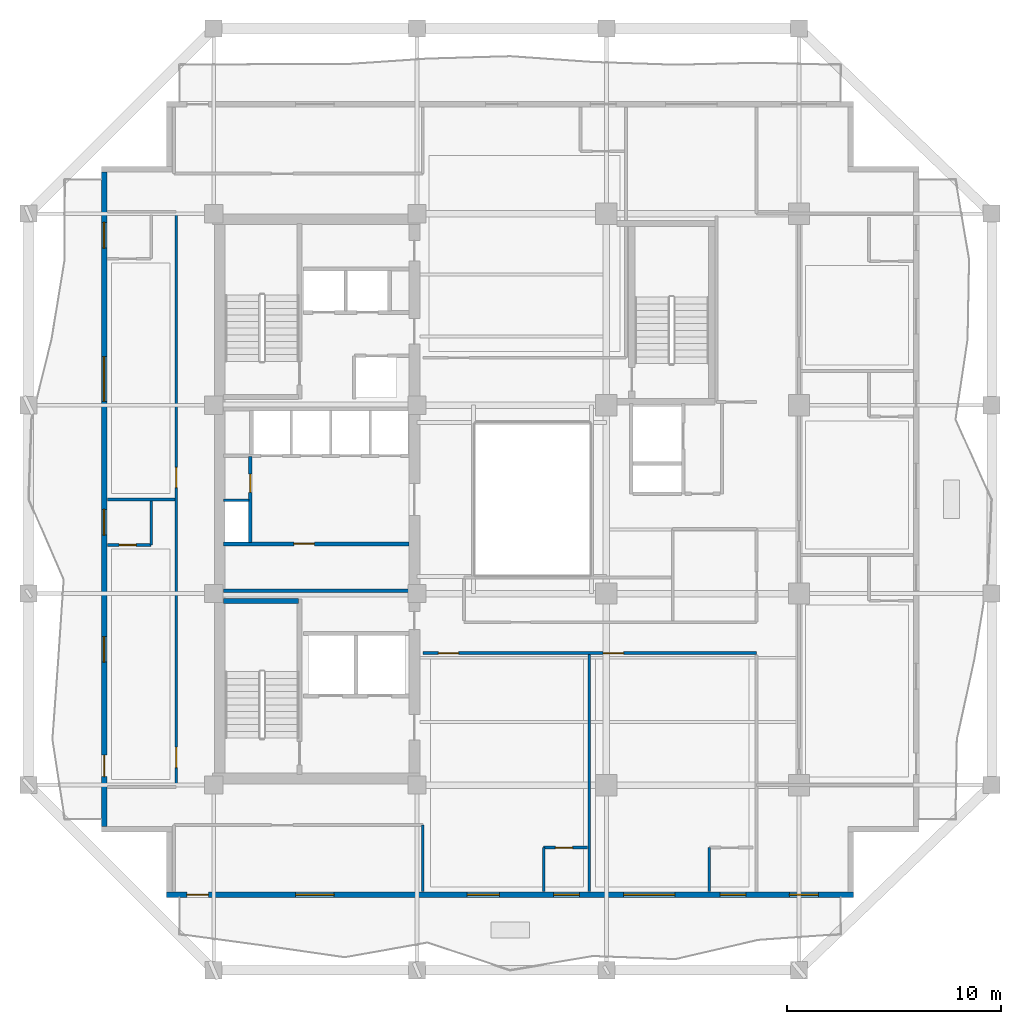
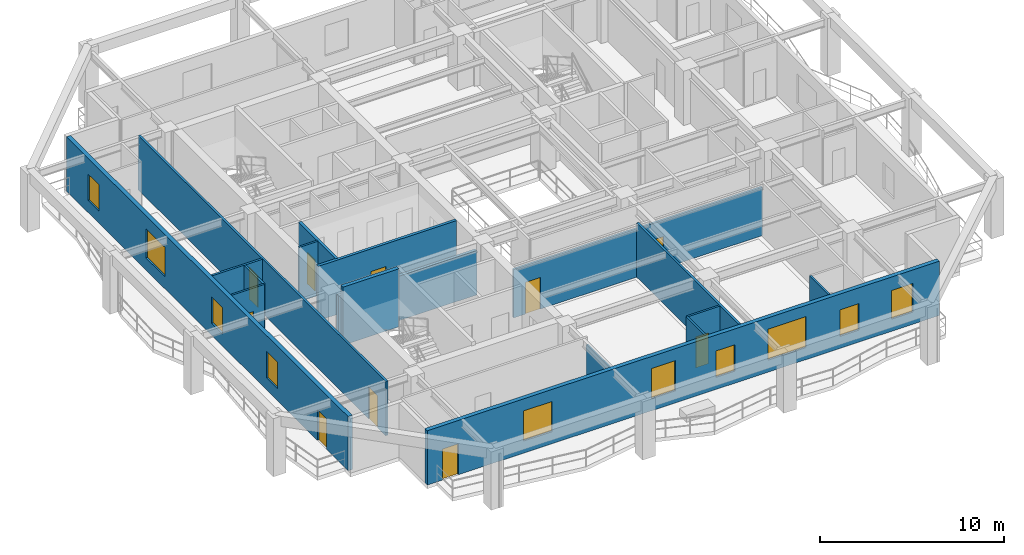
# One storey, part 3 of 10: 17 walls, 10 doors, 10 windows, 20 openings.
"""IFC4 building model written with IfcOpenShell, lengths in metres."""

from ifc_helpers import new_model, si_unit, direction, frame, frame_2d, origin, place, context, subcontext, project, spatial, rectangle, extrude, material, layer, layer_set, type_object, element, fill, save


model = new_model("IFC4")

# Units and contexts
model_context = context("Model", 3, precision=1e-05, world=origin(), true_north=direction((0.0, 1.0)))
body_context = subcontext(model_context, "Body", "Model", "MODEL_VIEW")
ifc_project = project(units=[si_unit("LENGTHUNIT", "METRE"), si_unit("AREAUNIT", "SQUARE_METRE"), si_unit("VOLUMEUNIT", "CUBIC_METRE"), si_unit("PLANEANGLEUNIT", "RADIAN"), si_unit("MASSUNIT", "GRAM", prefix="KILO")], contexts=[model_context])

# Site, building, storey
site_placement = place(None, origin())
site = spatial("IfcSite", under=ifc_project, at=site_placement, CompositionType="ELEMENT")
building_placement = place(site_placement, origin())
building = spatial("IfcBuilding", under=site, at=building_placement, Name="Kundavana Baori Tower", CompositionType="ELEMENT")
storey_placement = place(building_placement, frame((0.0, 0.0, 115.550048828125)))
storey = spatial("IfcBuildingStorey", under=building, at=storey_placement, Name="L27", CompositionType="ELEMENT", Elevation=115.550048828125)

# Wall
ifc_material_1 = material(Name="Concrete C50/60", Category="concrete")
ifc_layer_1 = layer(ifc_material_1, 0.39990234375, Name="WL-CORE-400")
ifc_layer_set_1 = layer_set([ifc_layer_1], Name="Concrete C50/60")
wall_type_1 = type_object("IfcWallType", Name="WL-CORE-400", PredefinedType="SHEAR", material=ifc_layer_set_1)
wall_1_placement = place(storey_placement, frame((15.89990234375, 23.860107421875, 0.0), z_axis=(0.0, 0.0, 1.0), x_axis=(1.0, 0.0, 0.0)))
element("IfcWall", 1, at=wall_1_placement, inside=storey, type_object=wall_type_1, Name="WL-L27-ST1-N", PredefinedType="SHEAR", context=body_context, shape_type="SweptSolid", body=[
    extrude(rectangle(XDim=3.52001953125, YDim=0.239990234375, at=frame_2d((1.760009765625, 0.0))), origin(), (0.0, 0.0, 1.0), 3.849853515625),
])

# Wall, openings, door, windows
ifc_material_2 = material(Name="Kiln-Fired Terracotta Brick-Slip Masonry on Concrete C40/50", Category="masonry")
ifc_layer_2 = layer(ifc_material_2, 0.260009765625, Name="WL-EXT-BRK-260")
ifc_layer_set_2 = layer_set([ifc_layer_2], Name="Kiln-Fired Terracotta Brick-Slip Masonry on Concrete C40/50")
wall_type_2 = type_object("IfcWallType", Name="WL-EXT-BRK-260", PredefinedType="SOLIDWALL", material=ifc_layer_set_2)
wall_2_placement = place(storey_placement, frame((13.25, 10.1298828125, 0.0), z_axis=(0.0, 0.0, 1.0), x_axis=(1.0, 0.0, 0.0)))
wall_2 = element("IfcWall", 2, at=wall_2_placement, inside=storey, type_object=wall_type_2, Name="L27 Exterior Insulated Facade Wall 01", PredefinedType="SOLIDWALL", context=body_context, shape_type="SweptSolid", body=[
    extrude(rectangle(XDim=32.10009765625, YDim=0.260009765625, at=frame_2d((16.050048828125, 0.0))), origin(), (0.0, 0.0, 1.0), 3.599853515625),
])
opening_1_placement = place(wall_2_placement, frame((0.949951171875, 0.0, 0.0)))
opening_1 = element("IfcOpeningElement", 3, at=opening_1_placement, cuts=wall_2, Name="Opening BD-1", PredefinedType="OPENING", context=body_context, shape_type="SweptSolid", body=[
    extrude(rectangle(XDim=1.0, YDim=2.050048828125, at=frame_2d((0.5, 1.02490234375))), frame((0.0, 0.14013671875, 0.0), z_axis=(0.0, -1.0, 0.0), x_axis=(1.0, 0.0, 0.0)), (0.0, 0.0, 1.0), 0.280029296875),
])
opening_2_placement = place(wall_2_placement, frame((6.030029296875, 0.0, 0.800048828125)))
opening_2 = element("IfcOpeningElement", 4, at=opening_2_placement, cuts=wall_2, Name="Opening W-01", PredefinedType="OPENING", context=body_context, shape_type="SweptSolid", body=[
    extrude(rectangle(XDim=1.800048828125, YDim=2.0, at=frame_2d((0.89990234375, 1.0))), frame((0.0, 0.14013671875, 0.0), z_axis=(0.0, -1.0, 0.0), x_axis=(1.0, 0.0, 0.0)), (0.0, 0.0, 1.0), 0.280029296875),
])
opening_3_placement = place(wall_2_placement, frame((14.044921875, 0.0, 0.800048828125)))
opening_3 = element("IfcOpeningElement", 5, at=opening_3_placement, cuts=wall_2, Name="Opening W-02", PredefinedType="OPENING", context=body_context, shape_type="SweptSolid", body=[
    extrude(rectangle(XDim=1.5, YDim=2.0, at=frame_2d((0.75, 1.0))), frame((0.0, 0.14013671875, 0.0), z_axis=(0.0, -1.0, 0.0), x_axis=(1.0, 0.0, 0.0)), (0.0, 0.0, 1.0), 0.280029296875),
])
opening_4_placement = place(wall_2_placement, frame((18.0849609375, 0.0, 0.800048828125)))
opening_4 = element("IfcOpeningElement", 6, at=opening_4_placement, cuts=wall_2, Name="Opening W-03", PredefinedType="OPENING", context=body_context, shape_type="SweptSolid", body=[
    extrude(rectangle(XDim=1.199951171875, YDim=1.75, at=frame_2d((0.60009765625, 0.875))), frame((0.0, 0.14013671875, 0.0), z_axis=(0.0, -1.0, 0.0), x_axis=(1.0, 0.0, 0.0)), (0.0, 0.0, 1.0), 0.280029296875),
])
opening_5_placement = place(wall_2_placement, frame((21.35498046875, 0.0, 0.800048828125)))
opening_5 = element("IfcOpeningElement", 7, at=opening_5_placement, cuts=wall_2, Name="Opening W-04", PredefinedType="OPENING", context=body_context, shape_type="SweptSolid", body=[
    extrude(rectangle(XDim=2.39990234375, YDim=2.050048828125, at=frame_2d((1.199951171875, 1.02490234375))), frame((0.0, 0.14013671875, 0.0), z_axis=(0.0, -1.0, 0.0), x_axis=(1.0, 0.0, 0.0)), (0.0, 0.0, 1.0), 0.280029296875),
])
opening_6_placement = place(wall_2_placement, frame((25.864990234375, 0.0, 0.800048828125)))
opening_6 = element("IfcOpeningElement", 8, at=opening_6_placement, cuts=wall_2, Name="Opening W-03", PredefinedType="OPENING", context=body_context, shape_type="SweptSolid", body=[
    extrude(rectangle(XDim=1.199951171875, YDim=1.75, at=frame_2d((0.60009765625, 0.875))), frame((0.0, 0.14013671875, 0.0), z_axis=(0.0, -1.0, 0.0), x_axis=(1.0, 0.0, 0.0)), (0.0, 0.0, 1.0), 0.280029296875),
])
opening_7_placement = place(wall_2_placement, frame((29.10498046875, 0.0, 0.800048828125)))
opening_7 = element("IfcOpeningElement", 9, at=opening_7_placement, cuts=wall_2, Name="Opening W-07", PredefinedType="OPENING", context=body_context, shape_type="SweptSolid", body=[
    extrude(rectangle(XDim=1.35009765625, YDim=1.89990234375, at=frame_2d((0.675048828125, 0.949951171875))), frame((0.0, 0.14013671875, 0.0), z_axis=(0.0, -1.0, 0.0), x_axis=(1.0, 0.0, 0.0)), (0.0, 0.0, 1.0), 0.280029296875),
])
ifc_material_3 = material(Name="Architectural Patinated Bronze Metalwork")
door_type_1 = type_object("IfcDoorType", Name="DR-EXT-LOG-1000", OperationType="NOTDEFINED", PredefinedType="DOOR", material=ifc_material_3)
door_1_placement = place(opening_1_placement, frame((1.0, 0.0, 0.0), z_axis=(0.0, 0.0, 1.0), x_axis=(-1.0, 0.0, 0.0)))
door_1 = element("IfcDoor", 10, at=door_1_placement, inside=storey, type_object=door_type_1, Name="L27 Loggia Balcony Access Door S", OperationType="SINGLE_SWING_LEFT", OverallHeight=2.050048828125, OverallWidth=1.0, PredefinedType="DOOR", context=body_context, shape_type="SweptSolid", body=[
    extrude(rectangle(XDim=1.0, YDim=2.050048828125, at=frame_2d((0.5, 1.02490234375))), frame((0.0, 0.02490234375, 0.0), z_axis=(0.0, -1.0, 0.0), x_axis=(1.0, 0.0, 0.0)), (0.0, 0.0, 1.0), 0.050048828125),
])
fill(opening_1, door_1)
ifc_material_4 = material(Name="Double-Glazed Solar-Control Low-E Insulated Glass", Category="glass")
window_type_1 = type_object("IfcWindowType", Name="WIN-LOG-1200x1750", PartitioningType="SINGLE_PANEL", PredefinedType="WINDOW", material=ifc_material_4)
window_1_placement = place(opening_4_placement, origin())
window_1 = element("IfcWindow", 11, at=window_1_placement, inside=storey, type_object=window_type_1, Name="L27 Recessed Loggia Window S-3", OverallHeight=1.75, OverallWidth=1.199951171875, PartitioningType="SINGLE_PANEL", PredefinedType="WINDOW", context=body_context, shape_type="SweptSolid", body=[
    extrude(rectangle(XDim=1.199951171875, YDim=1.75, at=frame_2d((0.60009765625, 0.875))), frame((0.0, 0.030029296875, 0.0), z_axis=(0.0, -1.0, 0.0), x_axis=(1.0, 0.0, 0.0)), (0.0, 0.0, 1.0), 0.06005859375),
])
fill(opening_4, window_1)
window_2_placement = place(opening_6_placement, origin())
window_2 = element("IfcWindow", 12, at=window_2_placement, inside=storey, type_object=window_type_1, Name="L27 Recessed Loggia Window S-5", OverallHeight=1.75, OverallWidth=1.199951171875, PartitioningType="SINGLE_PANEL", PredefinedType="WINDOW", context=body_context, shape_type="SweptSolid", body=[
    extrude(rectangle(XDim=1.199951171875, YDim=1.75, at=frame_2d((0.60009765625, 0.875))), frame((0.0, 0.030029296875, 0.0), z_axis=(0.0, -1.0, 0.0), x_axis=(1.0, 0.0, 0.0)), (0.0, 0.0, 1.0), 0.06005859375),
])
fill(opening_6, window_2)
ifc_material_5 = material(Name="Double-Glazed Solar-Control Low-E Insulated Glass", Category="glass")
window_type_2 = type_object("IfcWindowType", Name="WIN-LOG-1350x1900", PartitioningType="SINGLE_PANEL", PredefinedType="WINDOW", material=ifc_material_5)
window_3_placement = place(opening_7_placement, origin())
window_3 = element("IfcWindow", 13, at=window_3_placement, inside=storey, type_object=window_type_2, Name="L27 Recessed Loggia Window S-6", OverallHeight=1.89990234375, OverallWidth=1.35009765625, PartitioningType="SINGLE_PANEL", PredefinedType="WINDOW", context=body_context, shape_type="SweptSolid", body=[
    extrude(rectangle(XDim=1.35009765625, YDim=1.89990234375, at=frame_2d((0.675048828125, 0.949951171875))), frame((0.0, 0.030029296875, 0.0), z_axis=(0.0, -1.0, 0.0), x_axis=(1.0, 0.0, 0.0)), (0.0, 0.0, 1.0), 0.06005859375),
])
fill(opening_7, window_3)
ifc_material_6 = material(Name="Double-Glazed Solar-Control Low-E Insulated Glass", Category="glass")
window_type_3 = type_object("IfcWindowType", Name="WIN-LOG-1500x2000", PartitioningType="SINGLE_PANEL", PredefinedType="WINDOW", material=ifc_material_6)
window_4_placement = place(opening_3_placement, origin())
window_4 = element("IfcWindow", 14, at=window_4_placement, inside=storey, type_object=window_type_3, Name="L27 Recessed Loggia Window S-2", OverallHeight=2.0, OverallWidth=1.5, PartitioningType="SINGLE_PANEL", PredefinedType="WINDOW", context=body_context, shape_type="SweptSolid", body=[
    extrude(rectangle(XDim=1.5, YDim=2.0, at=frame_2d((0.75, 1.0))), frame((0.0, 0.030029296875, 0.0), z_axis=(0.0, -1.0, 0.0), x_axis=(1.0, 0.0, 0.0)), (0.0, 0.0, 1.0), 0.06005859375),
])
fill(opening_3, window_4)
ifc_material_7 = material(Name="Double-Glazed Solar-Control Low-E Insulated Glass", Category="glass")
window_type_4 = type_object("IfcWindowType", Name="WIN-LOG-1800x2000", PartitioningType="SINGLE_PANEL", PredefinedType="WINDOW", material=ifc_material_7)
window_5_placement = place(opening_2_placement, origin())
window_5 = element("IfcWindow", 15, at=window_5_placement, inside=storey, type_object=window_type_4, Name="L27 Recessed Loggia Window S-1", OverallHeight=2.0, OverallWidth=1.800048828125, PartitioningType="SINGLE_PANEL", PredefinedType="WINDOW", context=body_context, shape_type="SweptSolid", body=[
    extrude(rectangle(XDim=1.800048828125, YDim=2.0, at=frame_2d((0.89990234375, 1.0))), frame((0.0, 0.030029296875, 0.0), z_axis=(0.0, -1.0, 0.0), x_axis=(1.0, 0.0, 0.0)), (0.0, 0.0, 1.0), 0.06005859375),
])
fill(opening_2, window_5)
ifc_material_8 = material(Name="Double-Glazed Solar-Control Low-E Insulated Glass", Category="glass")
window_type_5 = type_object("IfcWindowType", Name="WIN-LOG-2400x2050", PartitioningType="SINGLE_PANEL", PredefinedType="WINDOW", material=ifc_material_8)
window_6_placement = place(opening_5_placement, origin())
window_6 = element("IfcWindow", 16, at=window_6_placement, inside=storey, type_object=window_type_5, Name="L27 Recessed Loggia Window S-4", OverallHeight=2.050048828125, OverallWidth=2.39990234375, PartitioningType="SINGLE_PANEL", PredefinedType="WINDOW", context=body_context, shape_type="SweptSolid", body=[
    extrude(rectangle(XDim=2.39990234375, YDim=2.050048828125, at=frame_2d((1.199951171875, 1.02490234375))), frame((0.0, 0.030029296875, 0.0), z_axis=(0.0, -1.0, 0.0), x_axis=(1.0, 0.0, 0.0)), (0.0, 0.0, 1.0), 0.06005859375),
])
fill(opening_5, window_6)

wall_3_placement = place(storey_placement, frame((10.330078125, 43.889892578125, 0.0), z_axis=(0.0, 0.0, 1.0), x_axis=(0.0, -1.0, 0.0)))
wall_3 = element("IfcWall", 17, at=wall_3_placement, inside=storey, type_object=wall_type_2, Name="L27 Exterior Insulated Facade Wall 10", PredefinedType="SOLIDWALL", context=body_context, shape_type="SweptSolid", body=[
    extrude(rectangle(XDim=30.579833984375, YDim=0.260009765625, at=frame_2d((15.2900390625, 0.0))), origin(), (0.0, 0.0, 1.0), 3.599853515625),
])
opening_8_placement = place(wall_3_placement, frame((27.239990234375, 0.0, 0.0)))
opening_8 = element("IfcOpeningElement", 18, at=opening_8_placement, cuts=wall_3, Name="Opening BD-1", PredefinedType="OPENING", context=body_context, shape_type="SweptSolid", body=[
    extrude(rectangle(XDim=1.0, YDim=2.050048828125, at=frame_2d((0.5, 1.02490234375))), frame((0.0, 0.14013671875, 0.0), z_axis=(0.0, -1.0, 0.0), x_axis=(1.0, 0.0, 0.0)), (0.0, 0.0, 1.0), 0.280029296875),
])
opening_9_placement = place(wall_3_placement, frame((21.699951171875, 0.0, 0.800048828125)))
opening_9 = element("IfcOpeningElement", 19, at=opening_9_placement, cuts=wall_3, Name="Opening W-03", PredefinedType="OPENING", context=body_context, shape_type="SweptSolid", body=[
    extrude(rectangle(XDim=1.199951171875, YDim=1.75, at=frame_2d((0.60009765625, 0.875))), frame((0.0, 0.14013671875, 0.0), z_axis=(0.0, -1.0, 0.0), x_axis=(1.0, 0.0, 0.0)), (0.0, 0.0, 1.0), 0.280029296875),
])
opening_10_placement = place(wall_3_placement, frame((15.7548828125, 0.0, 0.800048828125)))
opening_10 = element("IfcOpeningElement", 20, at=opening_10_placement, cuts=wall_3, Name="Opening W-03", PredefinedType="OPENING", context=body_context, shape_type="SweptSolid", body=[
    extrude(rectangle(XDim=1.199951171875, YDim=1.75, at=frame_2d((0.60009765625, 0.875))), frame((0.0, 0.14013671875, 0.0), z_axis=(0.0, -1.0, 0.0), x_axis=(1.0, 0.0, 0.0)), (0.0, 0.0, 1.0), 0.280029296875),
])
opening_11_placement = place(wall_3_placement, frame((8.614990234375, 0.0, 0.800048828125)))
opening_11 = element("IfcOpeningElement", 21, at=opening_11_placement, cuts=wall_3, Name="Opening W-05", PredefinedType="OPENING", context=body_context, shape_type="SweptSolid", body=[
    extrude(rectangle(XDim=2.10009765625, YDim=1.949951171875, at=frame_2d((1.050048828125, 0.97509765625))), frame((0.0, 0.14013671875, 0.0), z_axis=(0.0, -1.0, 0.0), x_axis=(1.0, 0.0, 0.0)), (0.0, 0.0, 1.0), 0.280029296875),
])
opening_12_placement = place(wall_3_placement, frame((2.344970703125, 0.0, 0.800048828125)))
opening_12 = element("IfcOpeningElement", 22, at=opening_12_placement, cuts=wall_3, Name="Opening W-03", PredefinedType="OPENING", context=body_context, shape_type="SweptSolid", body=[
    extrude(rectangle(XDim=1.199951171875, YDim=1.75, at=frame_2d((0.60009765625, 0.875))), frame((0.0, 0.14013671875, 0.0), z_axis=(0.0, -1.0, 0.0), x_axis=(1.0, 0.0, 0.0)), (0.0, 0.0, 1.0), 0.280029296875),
])
door_2_placement = place(opening_8_placement, frame((1.0, 0.0, 0.0), z_axis=(0.0, 0.0, 1.0), x_axis=(-1.0, 0.0, 0.0)))
door_2 = element("IfcDoor", 23, at=door_2_placement, inside=storey, type_object=door_type_1, Name="L27 Loggia Balcony Access Door W", OperationType="SINGLE_SWING_RIGHT", OverallHeight=2.050048828125, OverallWidth=1.0, PredefinedType="DOOR", context=body_context, shape_type="SweptSolid", body=[
    extrude(rectangle(XDim=1.0, YDim=2.050048828125, at=frame_2d((0.5, 1.02490234375))), frame((0.0, 0.02490234375, 0.0), z_axis=(0.0, -1.0, 0.0), x_axis=(1.0, 0.0, 0.0)), (0.0, 0.0, 1.0), 0.050048828125),
])
fill(opening_8, door_2)
window_7_placement = place(opening_9_placement, origin())
window_7 = element("IfcWindow", 24, at=window_7_placement, inside=storey, type_object=window_type_1, Name="L27 Recessed Loggia Window W-1", OverallHeight=1.75, OverallWidth=1.199951171875, PartitioningType="SINGLE_PANEL", PredefinedType="WINDOW", context=body_context, shape_type="SweptSolid", body=[
    extrude(rectangle(XDim=1.199951171875, YDim=1.75, at=frame_2d((0.60009765625, 0.875))), frame((0.0, 0.030029296875, 0.0), z_axis=(0.0, -1.0, 0.0), x_axis=(1.0, 0.0, 0.0)), (0.0, 0.0, 1.0), 0.06005859375),
])
fill(opening_9, window_7)
window_8_placement = place(opening_10_placement, origin())
window_8 = element("IfcWindow", 25, at=window_8_placement, inside=storey, type_object=window_type_1, Name="L27 Recessed Loggia Window W-2", OverallHeight=1.75, OverallWidth=1.199951171875, PartitioningType="SINGLE_PANEL", PredefinedType="WINDOW", context=body_context, shape_type="SweptSolid", body=[
    extrude(rectangle(XDim=1.199951171875, YDim=1.75, at=frame_2d((0.60009765625, 0.875))), frame((0.0, 0.030029296875, 0.0), z_axis=(0.0, -1.0, 0.0), x_axis=(1.0, 0.0, 0.0)), (0.0, 0.0, 1.0), 0.06005859375),
])
fill(opening_10, window_8)
window_9_placement = place(opening_12_placement, origin())
window_9 = element("IfcWindow", 26, at=window_9_placement, inside=storey, type_object=window_type_1, Name="L27 Recessed Loggia Window W-4", OverallHeight=1.75, OverallWidth=1.199951171875, PartitioningType="SINGLE_PANEL", PredefinedType="WINDOW", context=body_context, shape_type="SweptSolid", body=[
    extrude(rectangle(XDim=1.199951171875, YDim=1.75, at=frame_2d((0.60009765625, 0.875))), frame((0.0, 0.030029296875, 0.0), z_axis=(0.0, -1.0, 0.0), x_axis=(1.0, 0.0, 0.0)), (0.0, 0.0, 1.0), 0.06005859375),
])
fill(opening_12, window_9)
ifc_material_9 = material(Name="Double-Glazed Solar-Control Low-E Insulated Glass", Category="glass")
window_type_6 = type_object("IfcWindowType", Name="WIN-LOG-2100x1950", PartitioningType="SINGLE_PANEL", PredefinedType="WINDOW", material=ifc_material_9)
window_10_placement = place(opening_11_placement, origin())
window_10 = element("IfcWindow", 27, at=window_10_placement, inside=storey, type_object=window_type_6, Name="L27 Recessed Loggia Window W-3", OverallHeight=1.949951171875, OverallWidth=2.10009765625, PartitioningType="SINGLE_PANEL", PredefinedType="WINDOW", context=body_context, shape_type="SweptSolid", body=[
    extrude(rectangle(XDim=2.10009765625, YDim=1.949951171875, at=frame_2d((1.050048828125, 0.97509765625))), frame((0.0, 0.030029296875, 0.0), z_axis=(0.0, -1.0, 0.0), x_axis=(1.0, 0.0, 0.0)), (0.0, 0.0, 1.0), 0.06005859375),
])
fill(opening_11, window_10)

# Wall
ifc_material_10 = material(Name="Acoustic Gypsum Plasterboard on Galvanised Steel Studs", Category="steel")
ifc_layer_3 = layer(ifc_material_10, 0.1201171875, Name="WL-PART-120")
ifc_layer_set_3 = layer_set([ifc_layer_3], Name="Acoustic Gypsum Plasterboard on Galvanised Steel Studs")
wall_type_3 = type_object("IfcWallType", Name="WL-PART-120", PredefinedType="PARTITIONING", material=ifc_layer_set_3)
wall_4_placement = place(storey_placement, frame((15.89990234375, 28.56005859375, 0.0), z_axis=(0.0, 0.0, 1.0), x_axis=(1.0, 0.0, 0.0)))
element("IfcWall", 28, at=wall_4_placement, inside=storey, type_object=wall_type_3, Name="WL-L27-RSRW-N", PredefinedType="PARTITIONING", context=body_context, shape_type="SweptSolid", body=[
    extrude(rectangle(XDim=1.2001953125, YDim=0.1201171875, at=frame_2d((0.60009765625, 0.0))), origin(), (0.0, 0.0, 1.0), 3.599853515625),
])

# Wall, openings, doors
ifc_material_11 = material(Name="Acoustic Gypsum Plasterboard on Galvanised Steel Studs", Category="steel")
ifc_layer_4 = layer(ifc_material_11, 0.135009765625, Name="WL-PART-135")
ifc_layer_set_4 = layer_set([ifc_layer_4], Name="Acoustic Gypsum Plasterboard on Galvanised Steel Studs")
wall_type_4 = type_object("IfcWallType", Name="WL-PART-135", PredefinedType="PARTITIONING", material=ifc_layer_set_4)
wall_5_placement = place(storey_placement, frame((25.219970703125, 21.419921875, 0.0), z_axis=(0.0, 0.0, 1.0), x_axis=(1.0, 0.0, 0.0)))
wall_5 = element("IfcWall", 29, at=wall_5_placement, inside=storey, type_object=wall_type_4, Name="WL-L27-HS", PredefinedType="PARTITIONING", context=body_context, shape_type="SweptSolid", body=[
    extrude(rectangle(XDim=15.60009765625, YDim=0.135009765625, at=frame_2d((7.800048828125, 0.0))), origin(), (0.0, 0.0, 1.0), 3.199951171875),
])
opening_13_placement = place(wall_5_placement, frame((0.72998046875, 0.0, 0.0)))
opening_13 = element("IfcOpeningElement", 30, at=opening_13_placement, cuts=wall_5, Name="Opening FD-095", PredefinedType="OPENING", context=body_context, shape_type="SweptSolid", body=[
    extrude(rectangle(XDim=0.949951171875, YDim=2.10009765625, at=frame_2d((0.47509765625, 1.050048828125))), frame((0.0, 0.07763671875, 0.0), z_axis=(0.0, -1.0, 0.0), x_axis=(1.0, 0.0, 0.0)), (0.0, 0.0, 1.0), 0.155029296875),
])
opening_14_placement = place(wall_5_placement, frame((8.429931640625, 0.0, 0.0)))
opening_14 = element("IfcOpeningElement", 31, at=opening_14_placement, cuts=wall_5, Name="Opening FD-095", PredefinedType="OPENING", context=body_context, shape_type="SweptSolid", body=[
    extrude(rectangle(XDim=0.949951171875, YDim=2.10009765625, at=frame_2d((0.47509765625, 1.050048828125))), frame((0.0, 0.07763671875, 0.0), z_axis=(0.0, -1.0, 0.0), x_axis=(1.0, 0.0, 0.0)), (0.0, 0.0, 1.0), 0.155029296875),
])
ifc_material_12 = material(Name="Engineered Teak Fire-Rated Timber Door Leaf", Category="wood")
door_type_2 = type_object("IfcDoorType", Name="DR-FD60-950", OperationType="NOTDEFINED", PredefinedType="DOOR", material=ifc_material_12)
door_3_placement = place(opening_13_placement, frame((0.949951171875, 0.0, 0.0), z_axis=(0.0, 0.0, 1.0), x_axis=(-1.0, 0.0, 0.0)))
door_3 = element("IfcDoor", 32, at=door_3_placement, inside=storey, type_object=door_type_2, Name="DR-L27-HK-S1-ENT", OperationType="SINGLE_SWING_RIGHT", OverallHeight=2.10009765625, OverallWidth=0.949951171875, PredefinedType="DOOR", context=body_context, shape_type="SweptSolid", body=[
    extrude(rectangle(XDim=0.949951171875, YDim=2.10009765625, at=frame_2d((0.47509765625, 1.050048828125))), frame((0.0, 0.02490234375, 0.0), z_axis=(0.0, -1.0, 0.0), x_axis=(1.0, 0.0, 0.0)), (0.0, 0.0, 1.0), 0.050048828125),
])
fill(opening_13, door_3)
door_4_placement = place(opening_14_placement, frame((0.949951171875, 0.0, 0.0), z_axis=(0.0, 0.0, 1.0), x_axis=(-1.0, 0.0, 0.0)))
door_4 = element("IfcDoor", 33, at=door_4_placement, inside=storey, type_object=door_type_2, Name="DR-L27-HK-S2-ENT", OperationType="SINGLE_SWING_RIGHT", OverallHeight=2.10009765625, OverallWidth=0.949951171875, PredefinedType="DOOR", context=body_context, shape_type="SweptSolid", body=[
    extrude(rectangle(XDim=0.949951171875, YDim=2.10009765625, at=frame_2d((0.47509765625, 1.050048828125))), frame((0.0, 0.02490234375, 0.0), z_axis=(0.0, -1.0, 0.0), x_axis=(1.0, 0.0, 0.0)), (0.0, 0.0, 1.0), 0.050048828125),
])
fill(opening_14, door_4)

wall_6_placement = place(storey_placement, frame((13.699951171875, 15.159912109375, 0.0), z_axis=(0.0, 0.0, 1.0), x_axis=(0.0, 1.0, 0.0)))
wall_6 = element("IfcWall", 34, at=wall_6_placement, inside=storey, type_object=wall_type_4, Name="WL-L27-HW", PredefinedType="PARTITIONING", context=body_context, shape_type="SweptSolid", body=[
    extrude(rectangle(XDim=26.880126953125, YDim=0.135009765625, at=frame_2d((13.43994140625, 0.0))), origin(), (0.0, 0.0, 1.0), 3.599853515625),
])
opening_15_placement = place(wall_6_placement, frame((0.909912109375, 0.0, 0.0)))
opening_15 = element("IfcOpeningElement", 35, at=opening_15_placement, cuts=wall_6, Name="Opening FD-095", PredefinedType="OPENING", context=body_context, shape_type="SweptSolid", body=[
    extrude(rectangle(XDim=0.949951171875, YDim=2.10009765625, at=frame_2d((0.47509765625, 1.050048828125))), frame((0.0, 0.07763671875, 0.0), z_axis=(0.0, -1.0, 0.0), x_axis=(1.0, 0.0, 0.0)), (0.0, 0.0, 1.0), 0.155029296875),
])
opening_16_placement = place(wall_6_placement, frame((13.989990234375, 0.0, 0.0)))
opening_16 = element("IfcOpeningElement", 36, at=opening_16_placement, cuts=wall_6, Name="Opening FD-095", PredefinedType="OPENING", context=body_context, shape_type="SweptSolid", body=[
    extrude(rectangle(XDim=0.949951171875, YDim=2.10009765625, at=frame_2d((0.47509765625, 1.050048828125))), frame((0.0, 0.07763671875, 0.0), z_axis=(0.0, -1.0, 0.0), x_axis=(1.0, 0.0, 0.0)), (0.0, 0.0, 1.0), 0.155029296875),
])
door_5_placement = place(opening_15_placement, origin())
door_5 = element("IfcDoor", 37, at=door_5_placement, inside=storey, type_object=door_type_2, Name="DR-L27-HK-W1-ENT", OperationType="SINGLE_SWING_LEFT", OverallHeight=2.10009765625, OverallWidth=0.949951171875, PredefinedType="DOOR", context=body_context, shape_type="SweptSolid", body=[
    extrude(rectangle(XDim=0.949951171875, YDim=2.10009765625, at=frame_2d((0.47509765625, 1.050048828125))), frame((0.0, 0.02490234375, 0.0), z_axis=(0.0, -1.0, 0.0), x_axis=(1.0, 0.0, 0.0)), (0.0, 0.0, 1.0), 0.050048828125),
])
fill(opening_15, door_5)
door_6_placement = place(opening_16_placement, origin())
door_6 = element("IfcDoor", 38, at=door_6_placement, inside=storey, type_object=door_type_2, Name="DR-L27-HK-W2-ENT", OperationType="SINGLE_SWING_LEFT", OverallHeight=2.10009765625, OverallWidth=0.949951171875, PredefinedType="DOOR", context=body_context, shape_type="SweptSolid", body=[
    extrude(rectangle(XDim=0.949951171875, YDim=2.10009765625, at=frame_2d((0.47509765625, 1.050048828125))), frame((0.0, 0.02490234375, 0.0), z_axis=(0.0, -1.0, 0.0), x_axis=(1.0, 0.0, 0.0)), (0.0, 0.0, 1.0), 0.050048828125),
])
fill(opening_16, door_6)

# Walls
wall_7_placement = place(storey_placement, frame((25.219970703125, 10.280029296875, 0.0), z_axis=(0.0, 0.0, 1.0), x_axis=(0.0, 1.0, 0.0)))
element("IfcWall", 39, at=wall_7_placement, inside=storey, type_object=wall_type_4, Name="WL-L27-HSCE", PredefinedType="PARTITIONING", context=body_context, shape_type="SweptSolid", body=[
    extrude(rectangle(XDim=3.099853515625, YDim=0.135009765625, at=frame_2d((1.5498046875, 0.0))), origin(), (0.0, 0.0, 1.0), 3.099853515625),
])
wall_8_placement = place(storey_placement, frame((10.47998046875, 28.60009765625, 0.0), z_axis=(0.0, 0.0, 1.0), x_axis=(1.0, 0.0, 0.0)))
element("IfcWall", 40, at=wall_8_placement, inside=storey, type_object=wall_type_4, Name="WL-L27-HWD1", PredefinedType="PARTITIONING", context=body_context, shape_type="SweptSolid", body=[
    extrude(rectangle(XDim=3.159912109375, YDim=0.135009765625, at=frame_2d((1.580078125, 0.0))), origin(), (0.0, 0.0, 1.0), 3.599853515625),
])
wall_9_placement = place(storey_placement, frame((33.0, 10.280029296875, 0.0), z_axis=(0.0, 0.0, 1.0), x_axis=(0.0, 1.0, 0.0)))
element("IfcWall", 41, at=wall_9_placement, inside=storey, type_object=wall_type_4, Name="WL-L27-HSD1", PredefinedType="PARTITIONING", context=body_context, shape_type="SweptSolid", body=[
    extrude(rectangle(XDim=11.080078125, YDim=0.135009765625, at=frame_2d((5.5400390625, 0.0))), origin(), (0.0, 0.0, 1.0), 3.599853515625),
])

# Wall, opening, door
ifc_material_13 = material(Name="Autoclaved Aerated Concrete Blockwork Masonry", Category="masonry")
ifc_layer_5 = layer(ifc_material_13, 0.179931640625, Name="WL-SHAFT-180")
ifc_layer_set_5 = layer_set([ifc_layer_5], Name="Autoclaved Aerated Concrete Blockwork Masonry")
wall_type_5 = type_object("IfcWallType", Name="WL-SHAFT-180", PredefinedType="SOLIDWALL", material=ifc_layer_set_5)
wall_10_placement = place(storey_placement, frame((15.89990234375, 26.52001953125, 0.0), z_axis=(0.0, 0.0, 1.0), x_axis=(1.0, 0.0, 0.0)))
wall_10 = element("IfcWall", 42, at=wall_10_placement, inside=storey, type_object=wall_type_5, Name="WL-L27-LPLOW-N", PredefinedType="SOLIDWALL", context=body_context, shape_type="SweptSolid", body=[
    extrude(rectangle(XDim=8.68017578125, YDim=0.179931640625, at=frame_2d((4.340087890625, 0.0))), origin(), (0.0, 0.0, 1.0), 3.599853515625),
])
opening_17_placement = place(wall_10_placement, frame((3.300048828125, 0.0, 0.0)))
opening_17 = element("IfcOpeningElement", 43, at=opening_17_placement, cuts=wall_10, Name="Opening FD-095", PredefinedType="OPENING", context=body_context, shape_type="SweptSolid", body=[
    extrude(rectangle(XDim=0.949951171875, YDim=2.10009765625, at=frame_2d((0.47509765625, 1.050048828125))), frame((0.0, 0.10009765625, 0.0), z_axis=(0.0, -1.0, 0.0), x_axis=(1.0, 0.0, 0.0)), (0.0, 0.0, 1.0), 0.199951171875),
])
door_7_placement = place(opening_17_placement, origin())
door_7 = element("IfcDoor", 44, at=door_7_placement, inside=storey, type_object=door_type_2, Name="DR-L27-FRLOW1", OperationType="SINGLE_SWING_LEFT", OverallHeight=2.10009765625, OverallWidth=0.949951171875, PredefinedType="DOOR", context=body_context, shape_type="SweptSolid", body=[
    extrude(rectangle(XDim=0.949951171875, YDim=2.10009765625, at=frame_2d((0.47509765625, 1.050048828125))), frame((0.0, 0.02490234375, 0.0), z_axis=(0.0, -1.0, 0.0), x_axis=(1.0, 0.0, 0.0)), (0.0, 0.0, 1.0), 0.050048828125),
])
fill(opening_17, door_7)

# Wall
wall_11_placement = place(storey_placement, frame((15.89990234375, 24.330078125, 0.0), z_axis=(0.0, 0.0, 1.0), x_axis=(1.0, 0.0, 0.0)))
element("IfcWall", 45, at=wall_11_placement, inside=storey, type_object=wall_type_5, Name="WL-L27-LPLOW-S", PredefinedType="SOLIDWALL", context=body_context, shape_type="SweptSolid", body=[
    extrude(rectangle(XDim=8.68017578125, YDim=0.179931640625, at=frame_2d((4.340087890625, 0.0))), origin(), (0.0, 0.0, 1.0), 2.949951171875),
])

# Wall, opening, door
wall_12_placement = place(storey_placement, frame((17.159912109375, 26.580078125, 0.0), z_axis=(0.0, 0.0, 1.0), x_axis=(0.0, 1.0, 0.0)))
wall_12 = element("IfcWall", 46, at=wall_12_placement, inside=storey, type_object=wall_type_5, Name="WL-L27-RSRW-E", PredefinedType="SOLIDWALL", context=body_context, shape_type="SweptSolid", body=[
    extrude(rectangle(XDim=4.02001953125, YDim=0.179931640625, at=frame_2d((2.010009765625, 0.0))), origin(), (0.0, 0.0, 1.0), 3.599853515625),
])
opening_18_placement = place(wall_12_placement, frame((2.35009765625, 0.0, 0.0)))
opening_18 = element("IfcOpeningElement", 47, at=opening_18_placement, cuts=wall_12, Name="Opening FD-085", PredefinedType="OPENING", context=body_context, shape_type="SweptSolid", body=[
    extrude(rectangle(XDim=0.85009765625, YDim=2.06005859375, at=frame_2d((0.425048828125, 1.030029296875))), frame((0.0, 0.10009765625, 0.0), z_axis=(0.0, -1.0, 0.0), x_axis=(1.0, 0.0, 0.0)), (0.0, 0.0, 1.0), 0.199951171875),
])
ifc_material_14 = material(Name="Galvanised Steel Fire-Rated Door Leaf", Category="steel")
door_type_3 = type_object("IfcDoorType", Name="DR-FD60-850", OperationType="NOTDEFINED", PredefinedType="DOOR", material=ifc_material_14)
door_8_placement = place(opening_18_placement, origin())
door_8 = element("IfcDoor", 48, at=door_8_placement, inside=storey, type_object=door_type_3, Name="DR-L27-CLN", OperationType="SINGLE_SWING_RIGHT", OverallHeight=2.06005859375, OverallWidth=0.85009765625, PredefinedType="DOOR", context=body_context, shape_type="SweptSolid", body=[
    extrude(rectangle(XDim=0.85009765625, YDim=2.06005859375, at=frame_2d((0.425048828125, 1.030029296875))), frame((0.0, 0.02490234375, 0.0), z_axis=(0.0, -1.0, 0.0), x_axis=(1.0, 0.0, 0.0)), (0.0, 0.0, 1.0), 0.050048828125),
])
fill(opening_18, door_8)

# Wall
ifc_material_15 = material(Name="Autoclaved Aerated Concrete Blockwork Masonry", Category="masonry")
ifc_layer_6 = layer(ifc_material_15, 0.125, Name="WL-WET-120")
ifc_layer_set_6 = layer_set([ifc_layer_6], Name="Autoclaved Aerated Concrete Blockwork Masonry")
wall_type_6 = type_object("IfcWallType", Name="WL-WET-120", PredefinedType="PLUMBINGWALL", material=ifc_layer_set_6)
wall_13_placement = place(storey_placement, frame((12.530029296875, 26.469970703125, 0.0), z_axis=(0.0, 0.0, 1.0), x_axis=(0.0, 1.0, 0.0)))
element("IfcWall", 49, at=wall_13_placement, inside=storey, type_object=wall_type_6, Name="WL-L27-HK-W1-BE", PredefinedType="PLUMBINGWALL", context=body_context, shape_type="SweptSolid", body=[
    extrude(rectangle(XDim=2.050048828125, YDim=0.125, at=frame_2d((1.02490234375, 0.0))), origin(), (0.0, 0.0, 1.0), 3.599853515625),
])

# Wall, opening, door
wall_14_placement = place(storey_placement, frame((10.47998046875, 26.469970703125, 0.0), z_axis=(0.0, 0.0, 1.0), x_axis=(1.0, 0.0, 0.0)))
wall_14 = element("IfcWall", 50, at=wall_14_placement, inside=storey, type_object=wall_type_6, Name="WL-L27-HK-W1-BS", PredefinedType="PLUMBINGWALL", context=body_context, shape_type="SweptSolid", body=[
    extrude(rectangle(XDim=2.050048828125, YDim=0.125, at=frame_2d((1.02490234375, 0.0))), origin(), (0.0, 0.0, 1.0), 3.599853515625),
])
opening_19_placement = place(wall_14_placement, frame((0.550048828125, 0.0, 0.0)))
opening_19 = element("IfcOpeningElement", 51, at=opening_19_placement, cuts=wall_14, Name="Opening WD-080", PredefinedType="OPENING", context=body_context, shape_type="SweptSolid", body=[
    extrude(rectangle(XDim=0.800048828125, YDim=2.050048828125, at=frame_2d((0.39990234375, 1.02490234375))), frame((0.0, 0.072509765625, 0.0), z_axis=(0.0, -1.0, 0.0), x_axis=(1.0, 0.0, 0.0)), (0.0, 0.0, 1.0), 0.14501953125),
])
ifc_material_16 = material(Name="Engineered Teak Solid-Core Timber Veneer", Category="wood")
door_type_4 = type_object("IfcDoorType", Name="DR-WET-800", OperationType="NOTDEFINED", PredefinedType="DOOR", material=ifc_material_16)
door_9_placement = place(opening_19_placement, frame((0.800048828125, 0.0, 0.0), z_axis=(0.0, 0.0, 1.0), x_axis=(-1.0, 0.0, 0.0)))
door_9 = element("IfcDoor", 52, at=door_9_placement, inside=storey, type_object=door_type_4, Name="DR-L27-HK-W1-ENS", OperationType="SINGLE_SWING_LEFT", OverallHeight=2.050048828125, OverallWidth=0.800048828125, PredefinedType="DOOR", context=body_context, shape_type="SweptSolid", body=[
    extrude(rectangle(XDim=0.800048828125, YDim=2.050048828125, at=frame_2d((0.39990234375, 1.02490234375))), frame((0.0, 0.02490234375, 0.0), z_axis=(0.0, -1.0, 0.0), x_axis=(1.0, 0.0, 0.0)), (0.0, 0.0, 1.0), 0.050048828125),
])
fill(opening_19, door_9)

# Wall
wall_15_placement = place(storey_placement, frame((30.8701171875, 10.280029296875, 0.0), z_axis=(0.0, 0.0, 1.0), x_axis=(0.0, 1.0, 0.0)))
element("IfcWall", 53, at=wall_15_placement, inside=storey, type_object=wall_type_6, Name="WL-L27-HK-S1-BW", PredefinedType="PLUMBINGWALL", context=body_context, shape_type="SweptSolid", body=[
    extrude(rectangle(XDim=2.050048828125, YDim=0.125, at=frame_2d((1.02490234375, 0.0))), origin(), (0.0, 0.0, 1.0), 3.599853515625),
])

# Wall, opening, door
wall_16_placement = place(storey_placement, frame((30.8701171875, 12.330078125, 0.0), z_axis=(0.0, 0.0, 1.0), x_axis=(1.0, 0.0, 0.0)))
wall_16 = element("IfcWall", 54, at=wall_16_placement, inside=storey, type_object=wall_type_6, Name="WL-L27-HK-S1-BN", PredefinedType="PLUMBINGWALL", context=body_context, shape_type="SweptSolid", body=[
    extrude(rectangle(XDim=2.0498046875, YDim=0.125, at=frame_2d((1.02490234375, 0.0))), origin(), (0.0, 0.0, 1.0), 3.599853515625),
])
opening_20_placement = place(wall_16_placement, frame((0.550048828125, 0.0, 0.0)))
opening_20 = element("IfcOpeningElement", 55, at=opening_20_placement, cuts=wall_16, Name="Opening WD-080", PredefinedType="OPENING", context=body_context, shape_type="SweptSolid", body=[
    extrude(rectangle(XDim=0.800048828125, YDim=2.050048828125, at=frame_2d((0.39990234375, 1.02490234375))), frame((0.0, 0.072509765625, 0.0), z_axis=(0.0, -1.0, 0.0), x_axis=(1.0, 0.0, 0.0)), (0.0, 0.0, 1.0), 0.14501953125),
])
door_10_placement = place(opening_20_placement, origin())
door_10 = element("IfcDoor", 56, at=door_10_placement, inside=storey, type_object=door_type_4, Name="DR-L27-HK-S1-ENS", OperationType="SINGLE_SWING_LEFT", OverallHeight=2.050048828125, OverallWidth=0.800048828125, PredefinedType="DOOR", context=body_context, shape_type="SweptSolid", body=[
    extrude(rectangle(XDim=0.800048828125, YDim=2.050048828125, at=frame_2d((0.39990234375, 1.02490234375))), frame((0.0, 0.02490234375, 0.0), z_axis=(0.0, -1.0, 0.0), x_axis=(1.0, 0.0, 0.0)), (0.0, 0.0, 1.0), 0.050048828125),
])
fill(opening_20, door_10)

# Wall
wall_17_placement = place(storey_placement, frame((38.610107421875, 10.280029296875, 0.0), z_axis=(0.0, 0.0, 1.0), x_axis=(0.0, 1.0, 0.0)))
element("IfcWall", 57, at=wall_17_placement, inside=storey, type_object=wall_type_6, Name="WL-L27-HK-S2-BW", PredefinedType="PLUMBINGWALL", context=body_context, shape_type="SweptSolid", body=[
    extrude(rectangle(XDim=2.050048828125, YDim=0.125, at=frame_2d((1.02490234375, 0.0))), origin(), (0.0, 0.0, 1.0), 3.599853515625),
])

save(model, "model.ifc")
